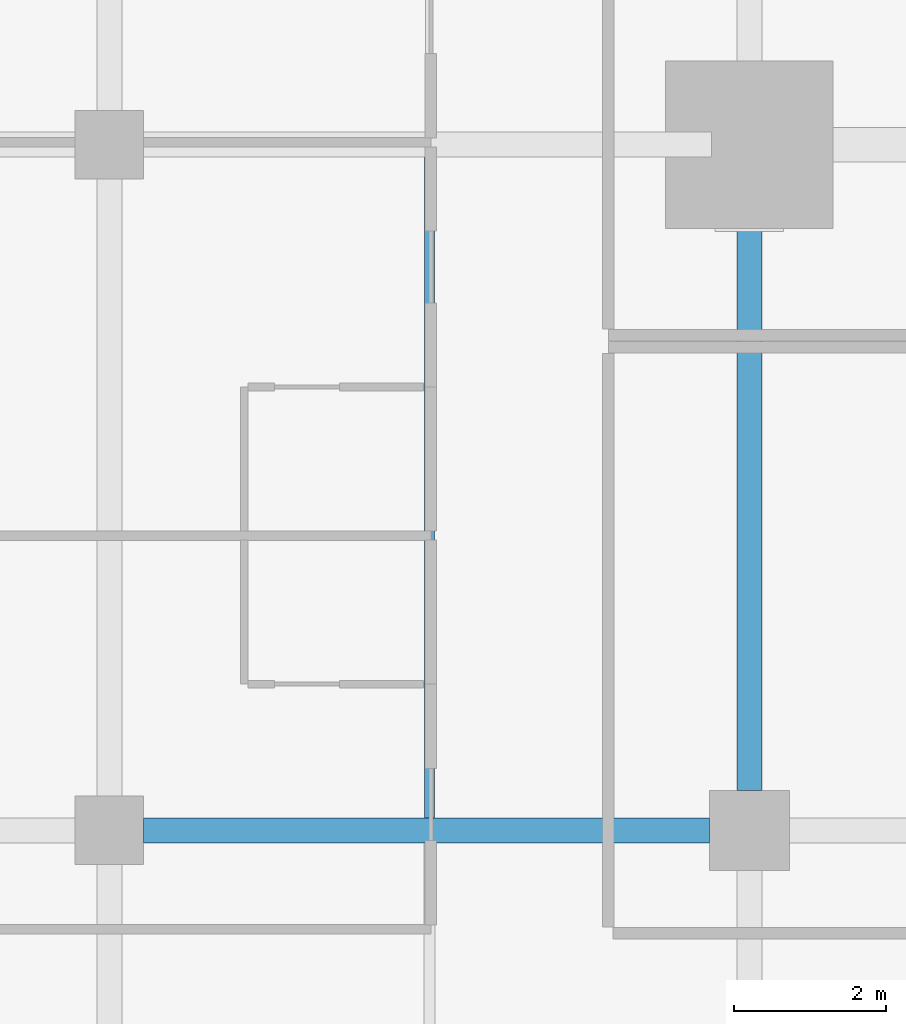
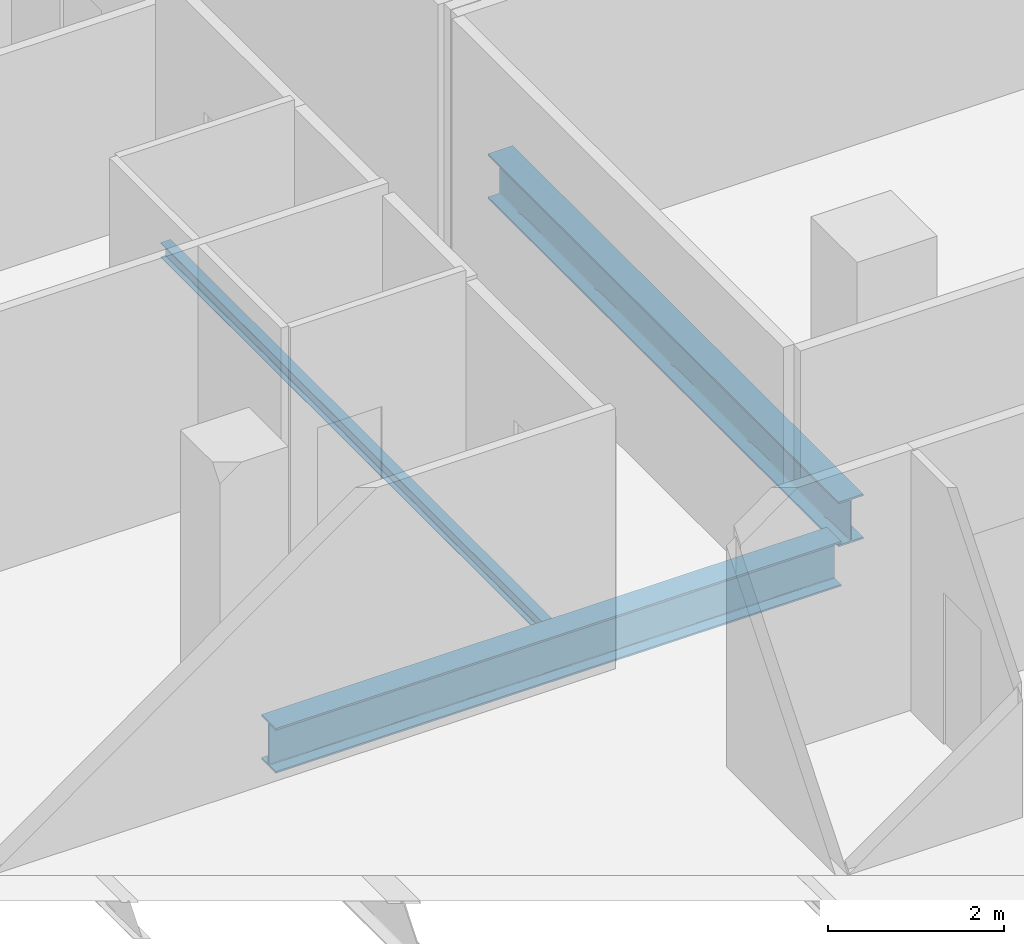
# One storey, part 11 of 40: 3 beams.
"""IFC4 building model written with IfcOpenShell, lengths in metres."""

from ifc_helpers import new_model, si_unit, direction, frame, origin, origin_2d, place, context, subcontext, project, spatial, i_section, extrude, material, material_profile, profile_set, type_object, element, save


model = new_model("IFC4")

# Units and contexts
model_context = context("Model", 3, precision=1e-05, world=origin(), true_north=direction((0.0, 1.0)))
body_context = subcontext(model_context, "Body", "Model", "MODEL_VIEW")
ifc_project = project(units=[si_unit("LENGTHUNIT", "METRE"), si_unit("AREAUNIT", "SQUARE_METRE"), si_unit("VOLUMEUNIT", "CUBIC_METRE"), si_unit("PLANEANGLEUNIT", "RADIAN"), si_unit("MASSUNIT", "GRAM", prefix="KILO")], contexts=[model_context])

# Site, building, storey
site_placement = place(None, origin())
site = spatial("IfcSite", under=ifc_project, at=site_placement, CompositionType="ELEMENT")
building_placement = place(site_placement, origin())
building = spatial("IfcBuilding", under=site, at=building_placement, Name="Maruvema Waterfront Hotel and Observation Tower", CompositionType="ELEMENT")
storey_placement = place(building_placement, frame((0.0, 0.0, 50.050048828125)))
storey = spatial("IfcBuildingStorey", under=building, at=storey_placement, Name="L11", CompositionType="ELEMENT", Elevation=50.050048828125)

# Beams
ifc_material_1 = material(Name="Steel ASTM A572 Grade 50", Category="steel")
ifc_material_profile_1 = material_profile(ifc_material_1, i_section(OverallWidth=0.326904296875, OverallDepth=0.6220703125, WebThickness=0.015380859375, FlangeThickness=0.0244140625, FilletRadius=0.01806640625, at=origin_2d()), Name="W610x195.0")
ifc_profile_set_1 = profile_set([ifc_material_profile_1], Name="Steel ASTM A572 Grade 50")
beam_type_1 = type_object("IfcBeamType", Name="Primary Floor Girder W610x195.0", PredefinedType="BEAM", material=ifc_profile_set_1)
beam_1_placement = place(storey_placement, frame((17.25, 18.0, -0.551025390625), z_axis=(1.0, 0.0, 0.0), x_axis=(0.0, 1.0, 0.0)))
element("IfcBeam", 1, at=beam_1_placement, inside=storey, type_object=beam_type_1, Name="L11 Floor Girder EW-14", PredefinedType="BEAM", context=body_context, shape_type="SweptSolid", body=[
    extrude(i_section(OverallWidth=0.326904296875, OverallDepth=0.6220703125, WebThickness=0.015380859375, FlangeThickness=0.0244140625, FilletRadius=0.01806640625, at=origin_2d()), origin(), (0.0, 0.0, 1.0), 7.425048828125),
])
beam_2_placement = place(storey_placement, frame((25.199951171875, 18.52490234375, -0.551025390625), z_axis=(0.0, 1.0, 0.0), x_axis=(-1.0, 0.0, 0.0)))
element("IfcBeam", 2, at=beam_2_placement, inside=storey, type_object=beam_type_1, Name="L11 Floor Girder NS-13", PredefinedType="BEAM", context=body_context, shape_type="SweptSolid", body=[
    extrude(i_section(OverallWidth=0.326904296875, OverallDepth=0.6220703125, WebThickness=0.015380859375, FlangeThickness=0.0244140625, FilletRadius=0.01806640625, at=origin_2d()), origin(), (0.0, 0.0, 1.0), 7.97509765625),
])
ifc_material_2 = material(Name="Steel ASTM A572 Grade 50", Category="steel")
ifc_material_profile_2 = material_profile(ifc_material_2, i_section(OverallWidth=0.133056640625, OverallDepth=0.20703125, WebThickness=0.005859375, FlangeThickness=0.00830078125, FilletRadius=0.010009765625, at=origin_2d()), Name="W200x26.6")
ifc_profile_set_2 = profile_set([ifc_material_profile_2], Name="Steel ASTM A572 Grade 50")
beam_type_2 = type_object("IfcBeamType", Name="Secondary Floor Joist W200x26.6", PredefinedType="JOIST", material=ifc_profile_set_2)
beam_3_placement = place(storey_placement, frame((21.0, 18.16357421875, -0.343505859375), z_axis=(0.0, 1.0, 0.0), x_axis=(-1.0, 0.0, 0.0)))
element("IfcBeam", 3, at=beam_3_placement, inside=storey, type_object=beam_type_2, Name="L11 Secondary Floor Joist JS-07", PredefinedType="JOIST", context=body_context, shape_type="SweptSolid", body=[
    extrude(i_section(OverallWidth=0.133056640625, OverallDepth=0.20703125, WebThickness=0.005859375, FlangeThickness=0.00830078125, FilletRadius=0.010009765625, at=origin_2d()), origin(), (0.0, 0.0, 1.0), 8.6728515625),
])

save(model, "model.ifc")
